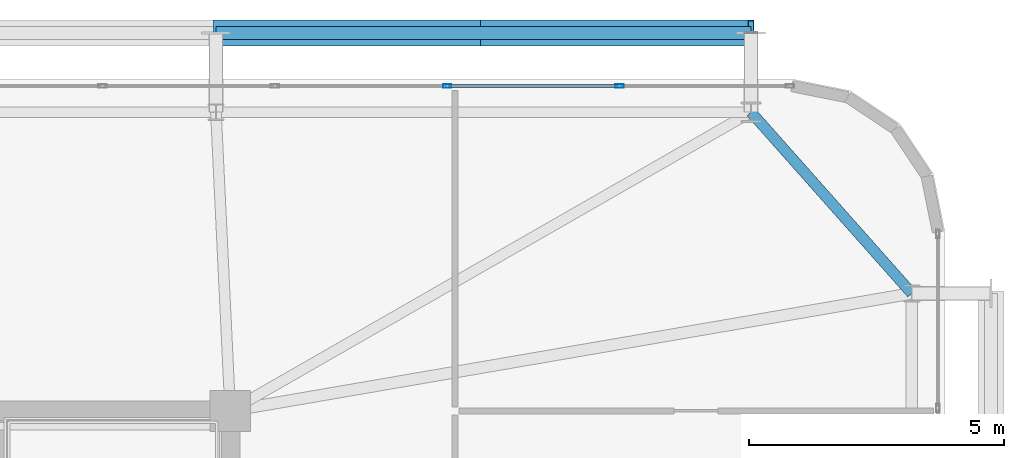
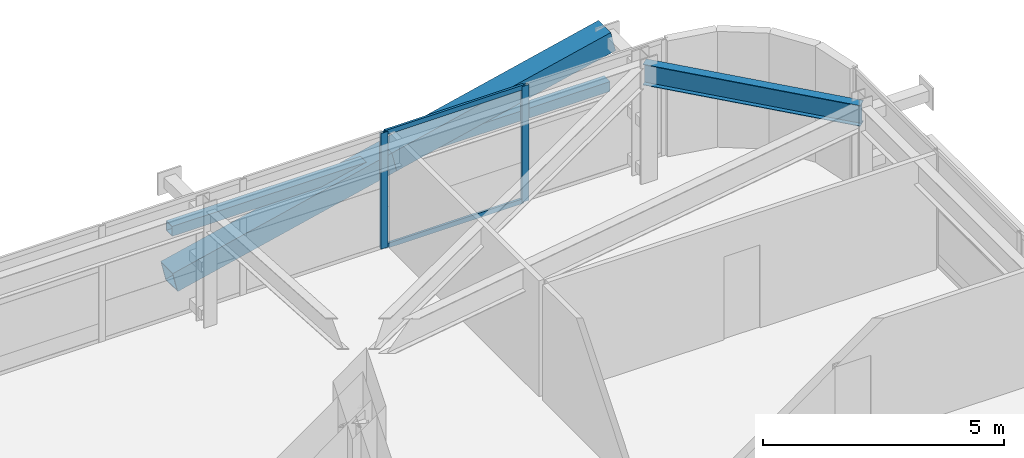
# One storey, part 40 of 58: 7 members, 1 beam, 1 element without a shape of its own.
"""IFC4 building model written with IfcOpenShell, lengths in metres."""

from ifc_helpers import new_model, si_unit, direction, frame, origin, origin_2d, place, context, subcontext, project, spatial, hollow_rectangle, i_section, extrude, source, transform, mapped, material, layer, layer_set, material_profile, profile_set, type_object, element, aggregate, save


model = new_model("IFC4")

# Units and contexts
model_context = context("Model", 3, precision=1e-05, world=origin(), true_north=direction((0.0, 1.0)))
body_context = subcontext(model_context, "Body", "Model", "MODEL_VIEW")
ifc_project = project(units=[si_unit("LENGTHUNIT", "METRE"), si_unit("AREAUNIT", "SQUARE_METRE"), si_unit("VOLUMEUNIT", "CUBIC_METRE"), si_unit("PLANEANGLEUNIT", "RADIAN"), si_unit("MASSUNIT", "GRAM", prefix="KILO")], contexts=[model_context])

# Site, building, storey
site_placement = place(None, origin())
site = spatial("IfcSite", under=ifc_project, at=site_placement, CompositionType="ELEMENT")
building_placement = place(site_placement, origin())
building = spatial("IfcBuilding", under=site, at=building_placement, Name="Taldren Reach Tower", CompositionType="ELEMENT")
storey_placement = place(building_placement, frame((0.0, 0.0, 54.60009765625)))
storey = spatial("IfcBuildingStorey", under=building, at=storey_placement, Name="L16", CompositionType="ELEMENT", Elevation=54.60009765625)

# Beam
ifc_material_1 = material(Name="Steel Gr 350 (350PLUS)", Category="steel")
ifc_material_profile_1 = material_profile(ifc_material_1, i_section(OverallWidth=0.208984375, OverallDepth=0.528076171875, WebThickness=0.009521484375, FlangeThickness=0.01318359375, at=origin_2d()), Name="530UB82.0")
ifc_profile_set_1 = profile_set([ifc_material_profile_1], Name="Steel Gr 350 (350PLUS)")
beam_type = type_object("IfcBeamType", Name="SP-UB530B", PredefinedType="SPANDREL", material=ifc_profile_set_1)
shared_shape_1 = source(origin(), body_context, "Body", "SweptSolid", [
    extrude(i_section(OverallWidth=0.208984375, OverallDepth=0.528076171875, WebThickness=0.009521484375, FlangeThickness=0.01318359375, at=origin_2d()), origin(), (0.0, 0.0, 1.0), 4.74609375),
])
beam_placement = place(storey_placement, frame((64.35009765625, 34.300048828125, 2.666015625), z_axis=(-0.663721843779, 0.747979487747, 0.0), x_axis=(-0.747979487747, -0.663721843779, 0.0)))
element("IfcBeam", 1, at=beam_placement, inside=storey, type_object=beam_type, Name="Perimeter spandrel B1 E3-N6 L16", PredefinedType="SPANDREL", context=body_context, shape_type="MappedRepresentation", body=[
    mapped(shared_shape_1, transform((0.0, 0.0, 0.0), scale=1.0)),
])

# Members
ifc_material_2 = material(Name="Steel Gr 450 (C450L0)", Category="steel")
ifc_material_profile_2 = material_profile(ifc_material_2, hollow_rectangle(XDim=0.510009765625, YDim=0.510009765625, WallThickness=0.02001953125, at=origin_2d()), Name="510x510x20.0SHS")
ifc_profile_set_2 = profile_set([ifc_material_profile_2], Name="Steel Gr 450 (C450L0)")
member_type_1 = type_object("IfcMemberType", Name="MB-EXO508", PredefinedType="BRACE", material=ifc_profile_set_2)
shared_shape_2 = source(origin(), body_context, "Body", "SweptSolid", [
    extrude(hollow_rectangle(XDim=0.510009765625, YDim=0.510009765625, WallThickness=0.02001953125, at=origin_2d()), origin(), (0.0, 0.0, 1.0), 5.37890625),
])
for number, where, z_axis, x_axis, name in (
    (2, (50.719970703125, 39.39990234375, 0.219970703125), (0.974161966843, 0.0, 0.225850531007), (0.0, 1.0, 0.0), "Exoskeleton Diagrid Brace B1-N5 L16"),
    (3, (55.9599609375, 39.39990234375, 1.434814453125), (0.97415197996, 0.0, 0.225893603143), (0.0, 1.0, 0.0), "Exoskeleton Diagrid Brace B1-N5 L16"),
):
    element("IfcMember", number, at=place(storey_placement, frame(where, z_axis=z_axis, x_axis=x_axis)), inside=storey, type_object=member_type_1, Name=name, PredefinedType="BRACE", context=body_context, shape_type="MappedRepresentation", body=[
        mapped(shared_shape_2, transform((0.0, 0.0, 0.0), scale=1.0)),
    ])
ifc_material_3 = material(Name="Steel Gr 350 (C350L0)", Category="steel")
ifc_material_profile_3 = material_profile(ifc_material_3, hollow_rectangle(XDim=0.25, YDim=0.25, WallThickness=0.010009765625, at=origin_2d()), Name="250x250x10.0SHS")
ifc_profile_set_3 = profile_set([ifc_material_profile_3], Name="Steel Gr 350 (C350L0)")
member_type_2 = type_object("IfcMemberType", Name="MB-POST250", PredefinedType="POST", material=ifc_profile_set_3)
shared_shape_3 = source(origin(), body_context, "Body", "SweptSolid", [
    extrude(hollow_rectangle(XDim=0.25, YDim=0.25, WallThickness=0.010009765625, at=origin_2d()), origin(), (0.0, 0.0, 1.0), 10.47998046875),
])
member_1_placement = place(storey_placement, frame((50.719970703125, 39.39990234375, 1.434814453125), z_axis=(1.0, 0.0, 0.0), x_axis=(0.0, 1.0, 0.0)))
element("IfcMember", 4, at=member_1_placement, inside=storey, type_object=member_type_2, Name="Exoskeleton mid-height ring chord B1-N5 L16", PredefinedType="POST", context=body_context, shape_type="MappedRepresentation", body=[
    mapped(shared_shape_3, transform((0.0, 0.0, 0.0), scale=1.0)),
])

# Curtain wall, members
ifc_material_4 = material(Name="Aluminium and Low-E Glass Unitised System", Category="aluminium")
ifc_layer = layer(ifc_material_4, 0.159912109375)
ifc_layer_set = layer_set([ifc_layer], Name="Aluminium and Low-E Glass Unitised System")
curtain_wall_type = type_object("IfcCurtainWallType", Name="CW-SYS-2", PredefinedType="NOTDEFINED", material=ifc_layer_set)
curtain_wall_placement = place(storey_placement, origin())
curtain_wall = element("IfcCurtainWall", 5, at=curtain_wall_placement, inside=storey, type_object=curtain_wall_type, Name="Unitised curtain wall CW-L16-N", PredefinedType="NOTDEFINED")
ifc_material_5 = material(Name="Anodised Aluminium 6063-T6", Category="aluminium")
ifc_material_profile_4 = material_profile(ifc_material_5, hollow_rectangle(XDim=0.06494140625, YDim=0.1650390625, WallThickness=0.00390625, at=origin_2d()), Name="ALU-165x65x4RHS")
ifc_profile_set_4 = profile_set([ifc_material_profile_4], Name="Anodised Aluminium 6063-T6")
member_type_3 = type_object("IfcMemberType", Name="CW-MUL-165", PredefinedType="MULLION", material=ifc_profile_set_4)
shared_shape_4 = source(origin(), body_context, "Body", "SweptSolid", [
    extrude(hollow_rectangle(XDim=0.06494140625, YDim=0.1650390625, WallThickness=0.00390625, at=origin_2d()), origin(), (0.0, 0.0, 1.0), 2.929931640625),
])
member_2_placement = place(storey_placement, frame((58.625, 38.360107421875, 0.0), z_axis=(0.0, 0.0, 1.0), x_axis=(0.0, -1.0, 0.0)))
member_2 = element("IfcMember", 6, at=member_2_placement, type_object=member_type_3, Name="CW-2 mullion 2", PredefinedType="MULLION", context=body_context, shape_type="MappedRepresentation", body=[
    mapped(shared_shape_4, transform((0.0, 0.0, 0.0), scale=1.0)),
])
member_3_placement = place(storey_placement, frame((55.25, 38.360107421875, 0.0), z_axis=(0.0, 0.0, 1.0), x_axis=(0.0, -1.0, 0.0)))
member_3 = element("IfcMember", 7, at=member_3_placement, type_object=member_type_3, Name="CW-2 mullion 3", PredefinedType="MULLION", context=body_context, shape_type="MappedRepresentation", body=[
    mapped(shared_shape_4, transform((0.0, 0.0, 0.0), scale=1.0)),
])
ifc_material_profile_5 = material_profile(ifc_material_5, hollow_rectangle(XDim=0.054931640625, YDim=0.1201171875, WallThickness=0.0029296875, at=origin_2d()), Name="ALU-120x55x3RHS")
ifc_profile_set_5 = profile_set([ifc_material_profile_5], Name="Anodised Aluminium 6063-T6")
member_type_4 = type_object("IfcMemberType", Name="CW-TRN-135", PredefinedType="USERDEFINED", material=ifc_profile_set_5)
shared_shape_5 = source(origin(), body_context, "Body", "SweptSolid", [
    extrude(hollow_rectangle(XDim=0.054931640625, YDim=0.1201171875, WallThickness=0.0029296875, at=origin_2d()), origin(), (0.0, 0.0, 1.0), 3.31005859375),
])
member_4_placement = place(storey_placement, frame((58.592529296875, 38.360107421875, 0.02734375), z_axis=(-1.0, 0.0, 0.0), x_axis=(0.0, -1.0, 0.0)))
member_4 = element("IfcMember", 8, at=member_4_placement, type_object=member_type_4, Name="CW-2 transom 2.1", ObjectType="TRANSOM", PredefinedType="USERDEFINED", context=body_context, shape_type="MappedRepresentation", body=[
    mapped(shared_shape_5, transform((0.0, 0.0, 0.0), scale=1.0)),
])
member_5_placement = place(storey_placement, frame((58.592529296875, 38.360107421875, 2.90234375), z_axis=(-1.0, 0.0, 0.0), x_axis=(0.0, -1.0, 0.0)))
member_5 = element("IfcMember", 9, at=member_5_placement, type_object=member_type_4, Name="CW-2 transom 2.2", ObjectType="TRANSOM", PredefinedType="USERDEFINED", context=body_context, shape_type="MappedRepresentation", body=[
    mapped(shared_shape_5, transform((0.0, 0.0, 0.0), scale=1.0)),
])
aggregate(curtain_wall, [member_2, member_3, member_4, member_5])

save(model, "model.ifc")
